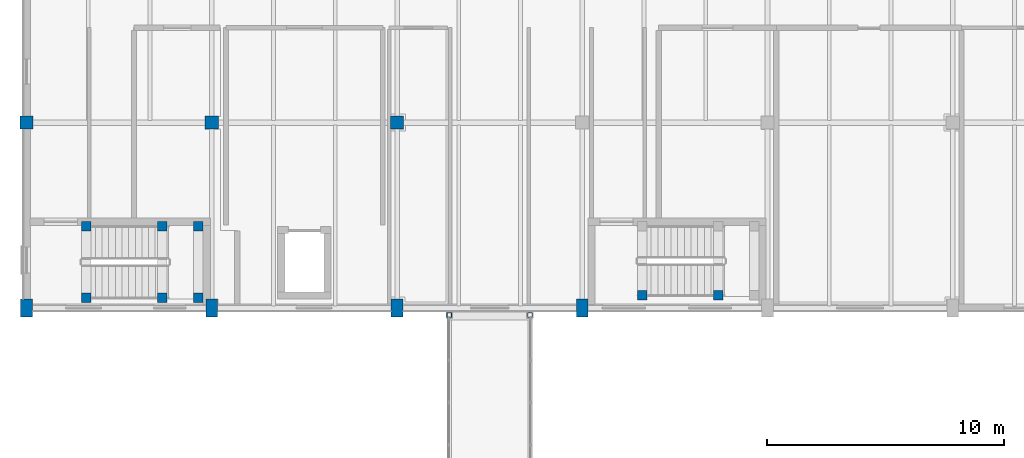
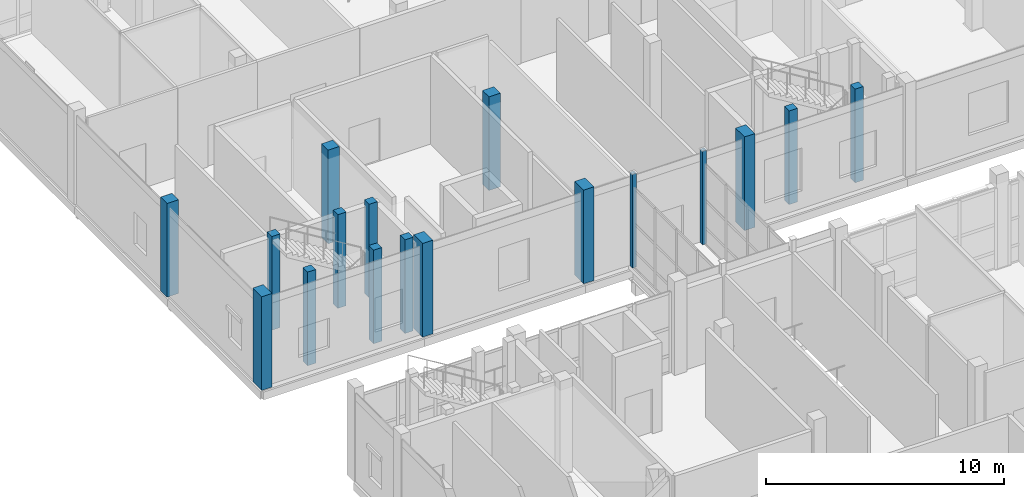
# One storey, part 4 of 138: 17 columns.
"""IFC4 building model written with IfcOpenShell, lengths in metres."""

from ifc_helpers import new_model, si_unit, direction, frame, origin, origin_2d, place, context, subcontext, project, spatial, rectangle, hollow_rectangle, extrude, material, material_profile, profile_set, type_object, element, save


model = new_model("IFC4")

# Units and contexts
model_context = context("Model", 3, precision=1e-05, world=origin(), true_north=direction((0.0, 1.0)))
body_context = subcontext(model_context, "Body", "Model", "MODEL_VIEW")
ifc_project = project(units=[si_unit("LENGTHUNIT", "METRE"), si_unit("AREAUNIT", "SQUARE_METRE"), si_unit("VOLUMEUNIT", "CUBIC_METRE"), si_unit("PLANEANGLEUNIT", "RADIAN"), si_unit("MASSUNIT", "GRAM", prefix="KILO")], contexts=[model_context])

# Site, building, storey
site_placement = place(None, origin())
site = spatial("IfcSite", under=ifc_project, at=site_placement, CompositionType="ELEMENT")
building_placement = place(site_placement, origin())
building = spatial("IfcBuilding", under=site, at=building_placement, Name="Celorna Specialist Clinic", CompositionType="ELEMENT")
storey_placement = place(building_placement, frame((0.0, 0.0, 4.800048828125)))
storey = spatial("IfcBuildingStorey", under=building, at=storey_placement, Name="L01", CompositionType="ELEMENT", Elevation=4.800048828125)

# Columns
ifc_material_1 = material(Name="Concrete C35/45", Category="concrete")
ifc_material_profile_1 = material_profile(ifc_material_1, rectangle(XDim=0.550048828125, YDim=0.550048828125, at=origin_2d()), Name="RC 550x550")
ifc_profile_set_1 = profile_set([ifc_material_profile_1], Name="Concrete C35/45")
column_type_1 = type_object("IfcColumnType", Name="CT-05", PredefinedType="COLUMN", material=ifc_profile_set_1)
for number, where, z_axis, x_axis, name in (
    (1, (0.0, 42.89990234375, 0.0), (0.0, 0.0, 1.0), (1.0, 0.0, 0.0), "Column CT-05 L01 X01/YH"),
    (2, (7.800048828125, 42.89990234375, 0.0), (0.0, 0.0, 1.0), (1.0, 0.0, 0.0), "Column CT-05 L01 X02/YH"),
    (3, (15.60009765625, 42.89990234375, 0.0), (0.0, 0.0, 1.0), (1.0, 0.0, 0.0), "Column CT-05 L01 X03/YH"),
):
    element("IfcColumn", number, at=place(storey_placement, frame(where, z_axis=z_axis, x_axis=x_axis)), inside=storey, type_object=column_type_1, Name=name, PredefinedType="COLUMN", context=body_context, shape_type="SweptSolid", body=[
        extrude(rectangle(XDim=0.550048828125, YDim=0.550048828125, at=origin_2d()), origin(), (0.0, 0.0, 1.0), 4.800048828125),
    ])
ifc_material_profile_2 = material_profile(ifc_material_1, rectangle(XDim=0.39990234375, YDim=0.39990234375, at=origin_2d()), Name="RC 400x400")
ifc_profile_set_2 = profile_set([ifc_material_profile_2], Name="Concrete C35/45")
column_type_2 = type_object("IfcColumnType", Name="CT-08", PredefinedType="COLUMN", material=ifc_profile_set_2)
for number, where, z_axis, x_axis, name in (
    (4, (2.52001953125, 35.530029296875, 0.0), (0.0, 0.0, 1.0), (1.0, 0.0, 0.0), "Stair ST-06 landing column CT-08 L01 X01/YG"),
    (5, (2.52001953125, 38.530029296875, 0.0), (0.0, 0.0, 1.0), (1.0, 0.0, 0.0), "Stair ST-06 landing column CT-08 L01 X01/YG"),
    (6, (5.719970703125, 35.530029296875, 0.0), (0.0, 0.0, 1.0), (1.0, 0.0, 0.0), "Stair ST-06 landing column CT-08 L01 X02/YG"),
    (7, (5.719970703125, 38.530029296875, 0.0), (0.0, 0.0, 1.0), (1.0, 0.0, 0.0), "Stair ST-06 landing column CT-08 L01 X02/YG"),
    (8, (7.239990234375, 35.530029296875, 0.0), (0.0, 0.0, 1.0), (1.0, 0.0, 0.0), "Stair ST-06 landing column CT-08 L01 X02/YG"),
    (9, (7.239990234375, 38.530029296875, 0.0), (0.0, 0.0, 1.0), (1.0, 0.0, 0.0), "Stair ST-06 landing column CT-08 L01 X02/YG"),
    (10, (25.919921875, 35.6298828125, 0.0), (0.0, 0.0, 1.0), (1.0, 0.0, 0.0), "Stair ST-07 landing column CT-08 L01 X04/YG"),
    (11, (29.1201171875, 35.6298828125, 0.0), (0.0, 0.0, 1.0), (1.0, 0.0, 0.0), "Stair ST-07 landing column CT-08 L01 X05/YG"),
):
    element("IfcColumn", number, at=place(storey_placement, frame(where, z_axis=z_axis, x_axis=x_axis)), inside=storey, type_object=column_type_2, Name=name, PredefinedType="COLUMN", context=body_context, shape_type="SweptSolid", body=[
        extrude(rectangle(XDim=0.39990234375, YDim=0.39990234375, at=origin_2d()), origin(), (0.0, 0.0, 1.0), 4.800048828125),
    ])
ifc_material_2 = material(Name="Concrete C40/50", Category="concrete")
ifc_material_profile_3 = material_profile(ifc_material_2, rectangle(XDim=0.5, YDim=0.75, at=origin_2d()), Name="RC 500x750")
ifc_profile_set_3 = profile_set([ifc_material_profile_3], Name="Concrete C40/50")
column_type_3 = type_object("IfcColumnType", Name="CT-09", PredefinedType="COLUMN", material=ifc_profile_set_3)
for number, where, z_axis, x_axis, name in (
    (12, (0.0, 35.10009765625, 0.0), (0.0, 0.0, 1.0), (1.0, 0.0, 0.0), "Column CT-09 L01 X01/YG"),
    (13, (7.800048828125, 35.10009765625, 0.0), (0.0, 0.0, 1.0), (1.0, 0.0, 0.0), "Column CT-09 L01 X02/YG"),
    (14, (15.60009765625, 35.10009765625, 0.0), (0.0, 0.0, 1.0), (1.0, 0.0, 0.0), "Column CT-09 L01 X03/YG"),
    (15, (23.39990234375, 35.10009765625, 0.0), (0.0, 0.0, 1.0), (1.0, 0.0, 0.0), "Column CT-09 L01 X04/YG"),
):
    element("IfcColumn", number, at=place(storey_placement, frame(where, z_axis=z_axis, x_axis=x_axis)), inside=storey, type_object=column_type_3, Name=name, PredefinedType="COLUMN", context=body_context, shape_type="SweptSolid", body=[
        extrude(rectangle(XDim=0.5, YDim=0.75, at=origin_2d()), origin(), (0.0, 0.0, 1.0), 4.800048828125),
    ])
ifc_material_3 = material(Name="Steel S355", Category="steel")
ifc_material_profile_4 = material_profile(ifc_material_3, hollow_rectangle(XDim=0.199951171875, YDim=0.199951171875, WallThickness=0.010009765625, at=origin_2d()), Name="SHS 200x200x10")
ifc_profile_set_4 = profile_set([ifc_material_profile_4], Name="Steel S355")
column_type_4 = type_object("IfcColumnType", Name="CT-15", PredefinedType="COLUMN", material=ifc_profile_set_4)
for number, where, z_axis, x_axis, name in (
    (16, (17.800048828125, 34.800048828125, 0.0), (0.0, 0.0, 1.0), (1.0, 0.0, 0.0), "Column CT-15 L01 X03/YG"),
    (17, (21.199951171875, 34.800048828125, 0.0), (0.0, 0.0, 1.0), (1.0, 0.0, 0.0), "Column CT-15 L01 X04/YG"),
):
    element("IfcColumn", number, at=place(storey_placement, frame(where, z_axis=z_axis, x_axis=x_axis)), inside=storey, type_object=column_type_4, Name=name, PredefinedType="COLUMN", context=body_context, shape_type="SweptSolid", body=[
        extrude(hollow_rectangle(XDim=0.199951171875, YDim=0.199951171875, WallThickness=0.010009765625, at=origin_2d()), origin(), (0.0, 0.0, 1.0), 4.800048828125),
    ])

save(model, "model.ifc")
